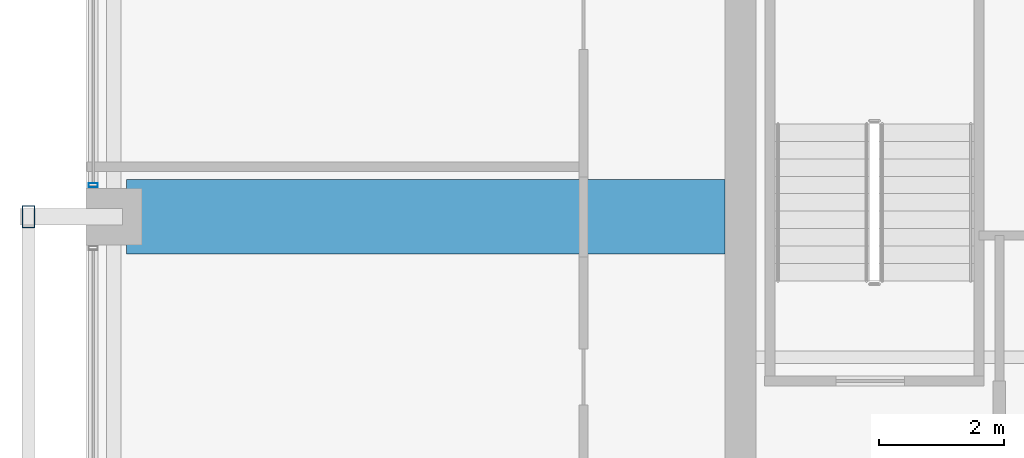
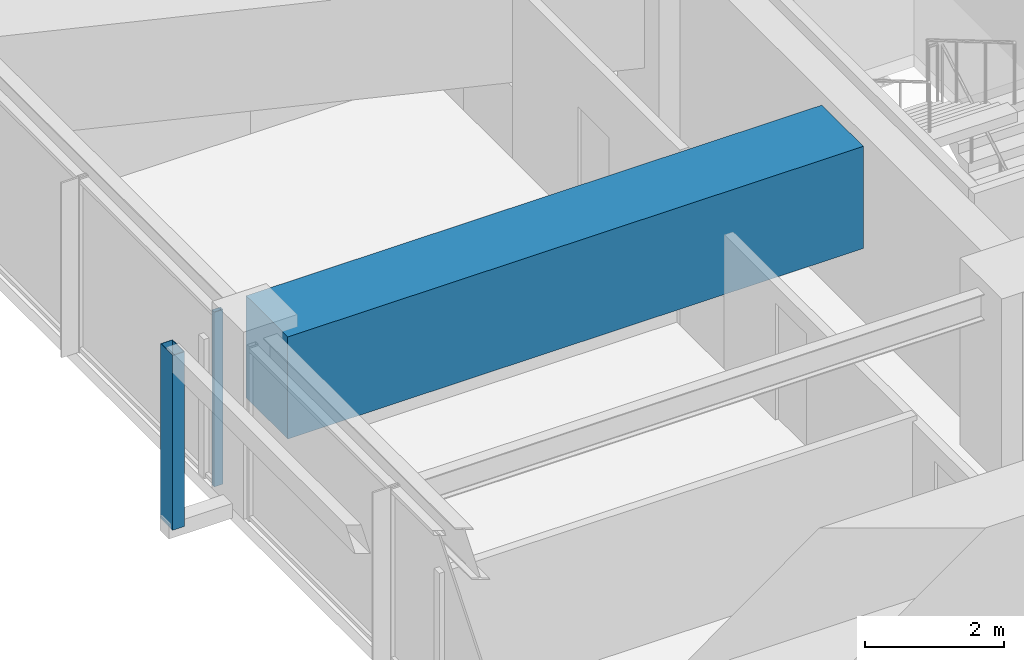
# One storey, part 10 of 37: 2 members, 1 beam, 1 element without a shape of its own.
"""IFC4 building model written with IfcOpenShell, lengths in metres."""

from ifc_helpers import new_model, si_unit, direction, frame, origin, origin_2d, place, context, subcontext, project, spatial, rectangle, hollow_rectangle, extrude, material, material_profile, profile_set, type_object, element, aggregate, save


model = new_model("IFC4")

# Units and contexts
model_context = context("Model", 3, precision=1e-05, world=origin(), true_north=direction((0.0, 1.0)))
body_context = subcontext(model_context, "Body", "Model", "MODEL_VIEW")
ifc_project = project(units=[si_unit("LENGTHUNIT", "METRE"), si_unit("AREAUNIT", "SQUARE_METRE"), si_unit("VOLUMEUNIT", "CUBIC_METRE"), si_unit("PLANEANGLEUNIT", "RADIAN"), si_unit("MASSUNIT", "GRAM", prefix="KILO")], contexts=[model_context])

# Site, building, storey
site_placement = place(None, origin())
site = spatial("IfcSite", under=ifc_project, at=site_placement, CompositionType="ELEMENT")
building_placement = place(site_placement, origin())
building = spatial("IfcBuilding", under=site, at=building_placement, Name="Kolvaren Belvedere", CompositionType="ELEMENT")
storey_placement = place(building_placement, frame((0.0, 0.0, 186.60009765625)))
storey = spatial("IfcBuildingStorey", under=building, at=storey_placement, Name="L54", CompositionType="ELEMENT", Elevation=186.60009765625)

# Beam
ifc_material_1 = material(Name="Concrete C50/60", Category="concrete")
ifc_material_profile_1 = material_profile(ifc_material_1, rectangle(XDim=1.199951171875, YDim=1.800048828125, at=origin_2d()), Name="RC 1200X1800")
ifc_profile_set_1 = profile_set([ifc_material_profile_1], Name="Concrete C50/60")
beam_type = type_object("IfcBeamType", Name="BM-TG-1800", PredefinedType="BEAM", material=ifc_profile_set_1)
beam_placement = place(storey_placement, frame((-10.14990234375, 4.60009765625, 2.179931640625), z_axis=(-1.0, 0.0, 0.0), x_axis=(0.0, -1.0, 0.0)))
element("IfcBeam", 1, at=beam_placement, inside=storey, type_object=beam_type, Name="L54 West Radial Girder P", PredefinedType="BEAM", context=body_context, shape_type="SweptSolid", body=[
    extrude(rectangle(XDim=1.199951171875, YDim=1.800048828125, at=origin_2d()), origin(), (0.0, 0.0, 1.0), 9.59765625),
])

# Curtain wall, member
ifc_material_2 = material(Name="Anodised pale-metal aluminium AA 6063-T6", Category="aluminium")
curtain_wall_type = type_object("IfcCurtainWallType", Name="CW-Z5-HIGH", PredefinedType="NOTDEFINED", material=ifc_material_2)
curtain_wall_placement = place(storey_placement, origin())
curtain_wall = element("IfcCurtainWall", 2, at=curtain_wall_placement, inside=storey, type_object=curtain_wall_type, Name="L54 Unitised Curtain Wall FCW-L54-W-B3", PredefinedType="NOTDEFINED")
ifc_material_3 = material(Name="Anodised pale-metal aluminium AA 6063-T6", Category="aluminium")
ifc_material_profile_2 = material_profile(ifc_material_3, hollow_rectangle(XDim=0.070068359375, YDim=0.14990234375, WallThickness=0.004150390625, at=origin_2d()), Name="ALU-MUL-150X70")
ifc_profile_set_2 = profile_set([ifc_material_profile_2], Name="Anodised pale-metal aluminium AA 6063-T6")
member_type_1 = type_object("IfcMemberType", Name="CW-MUL-150", PredefinedType="MULLION", material=ifc_profile_set_2)
member_1_placement = place(storey_placement, frame((-20.280029296875, 5.10498046875, 0.0), z_axis=(0.0, 0.0, 1.0), x_axis=(0.0, 1.0, 0.0)))
member_1 = element("IfcMember", 3, at=member_1_placement, type_object=member_type_1, Name="FCW-L54-W-B3 Unitised Mullion 1", PredefinedType="MULLION", context=body_context, shape_type="SweptSolid", body=[
    extrude(hollow_rectangle(XDim=0.070068359375, YDim=0.14990234375, WallThickness=0.004150390625, at=origin_2d()), origin(), (0.0, 0.0, 1.0), 3.079833984375),
])
aggregate(curtain_wall, [member_1])

# Member
ifc_material_4 = material(Name="Anodised pale-metal aluminium AA 6063-T6", Category="aluminium")
ifc_material_profile_3 = material_profile(ifc_material_4, hollow_rectangle(XDim=0.199951171875, YDim=0.35009765625, WallThickness=0.007568359375, at=origin_2d()), Name="ALU-PF-350X200")
ifc_profile_set_3 = profile_set([ifc_material_profile_3], Name="Anodised pale-metal aluminium AA 6063-T6")
member_type_2 = type_object("IfcMemberType", Name="PF-FRAME-350", PredefinedType="USERDEFINED", material=ifc_profile_set_3)
member_2_placement = place(storey_placement, frame((-21.320068359375, 4.60009765625, 0.0), z_axis=(0.0, 0.0, 1.0), x_axis=(1.0, 0.0, 0.0)))
element("IfcMember", 4, at=member_2_placement, inside=storey, type_object=member_type_2, Name="L54 Outboard Picture-Frame Vertical W2", ObjectType="PICTURE FRAME FIN", PredefinedType="USERDEFINED", context=body_context, shape_type="SweptSolid", body=[
    extrude(hollow_rectangle(XDim=0.199951171875, YDim=0.35009765625, WallThickness=0.007568359375, at=origin_2d()), origin(), (0.0, 0.0, 1.0), 3.079833984375),
])

save(model, "model.ifc")
